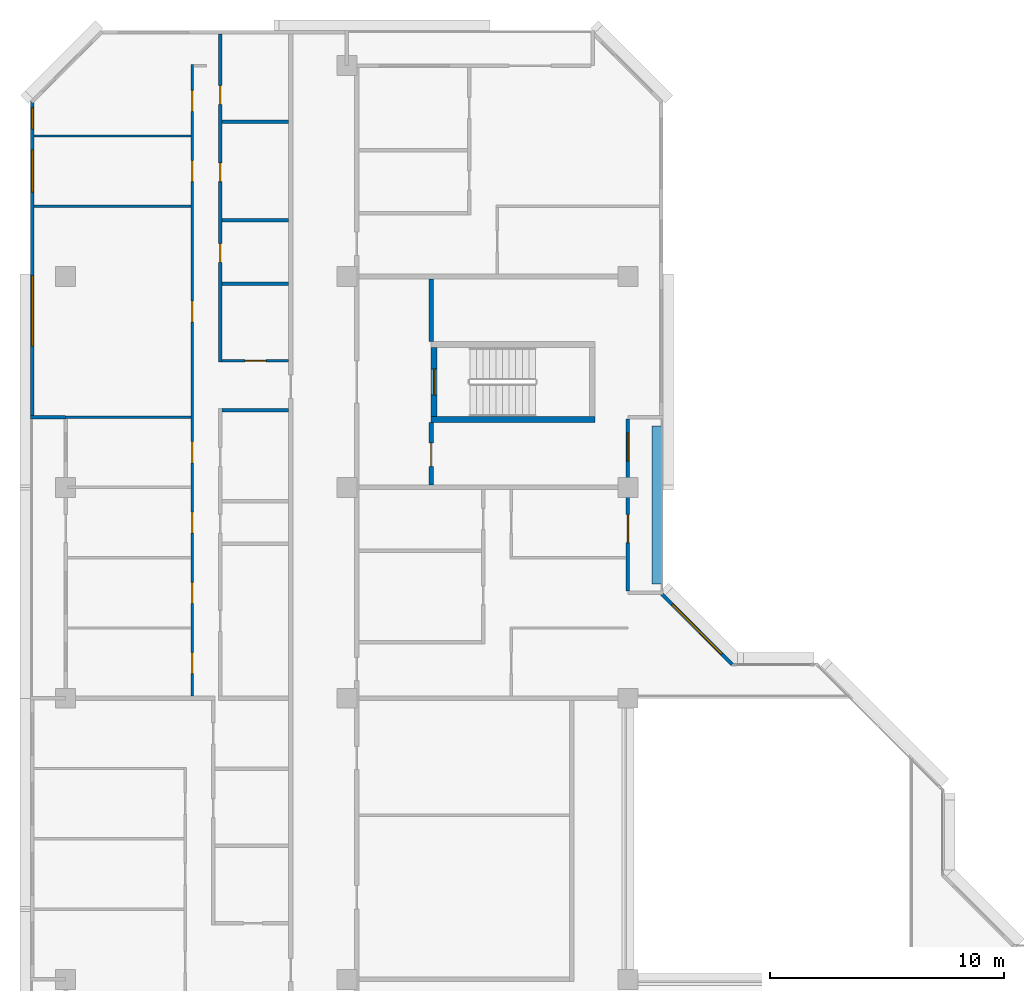
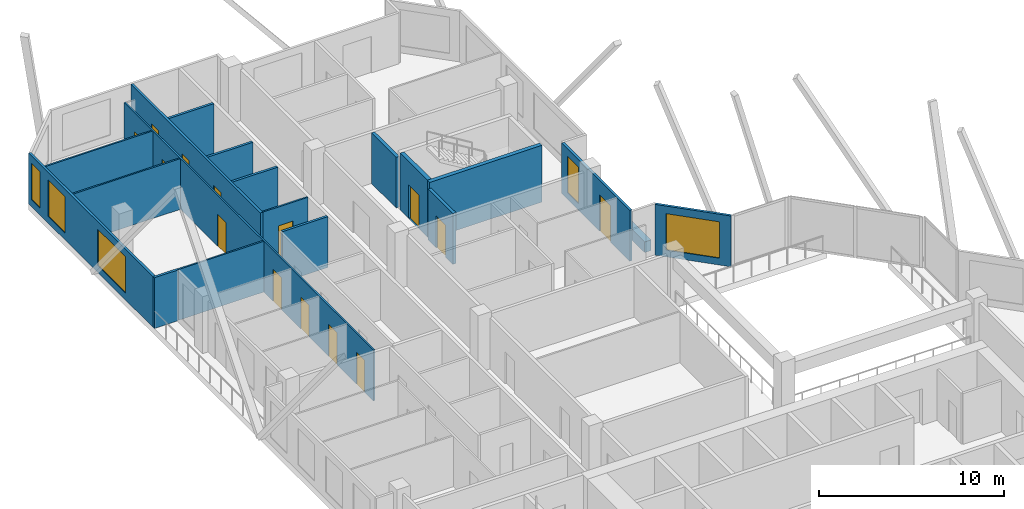
# One storey, part 10 of 15: 19 walls, 14 doors, 5 windows, 19 openings.
"""IFC4 building model written with IfcOpenShell, lengths in metres."""

from ifc_helpers import new_model, si_unit, direction, frame, frame_2d, origin, place, context, subcontext, project, spatial, rectangle, extrude, material, layer, layer_set, type_object, element, fill, save


model = new_model("IFC4")

# Units and contexts
model_context = context("Model", 3, precision=1e-05, world=origin(), true_north=direction((0.0, 1.0)))
body_context = subcontext(model_context, "Body", "Model", "MODEL_VIEW")
ifc_project = project(units=[si_unit("LENGTHUNIT", "METRE"), si_unit("AREAUNIT", "SQUARE_METRE"), si_unit("VOLUMEUNIT", "CUBIC_METRE"), si_unit("PLANEANGLEUNIT", "RADIAN"), si_unit("MASSUNIT", "GRAM", prefix="KILO")], contexts=[model_context])

# Site, building, storey
site_placement = place(None, origin())
site = spatial("IfcSite", under=ifc_project, at=site_placement, CompositionType="ELEMENT")
building_placement = place(site_placement, origin())
building = spatial("IfcBuilding", under=site, at=building_placement, Name="Chenar Terraces", CompositionType="ELEMENT")
storey_placement = place(building_placement, frame((0.0, 0.0, 245.39990234375)))
storey = spatial("IfcBuildingStorey", under=building, at=storey_placement, Name="L58", CompositionType="ELEMENT", Elevation=245.39990234375)

# Wall
ifc_material_1 = material(Name="Concrete C60/75", Category="concrete")
ifc_layer_1 = layer(ifc_material_1, 0.25)
ifc_layer_set_1 = layer_set([ifc_layer_1], Name="Concrete C60/75")
wall_type_1 = type_object("IfcWallType", Name="Core wall 250 Concrete C60/75", PredefinedType="SHEAR", material=ifc_layer_set_1)
wall_1_placement = place(storey_placement, frame((15.60009765625, 47.89990234375, 0.0), z_axis=(0.0, 0.0, 1.0), x_axis=(1.0, 0.0, 0.0)))
element("IfcWall", 1, at=wall_1_placement, inside=storey, type_object=wall_type_1, Name="Core wall ST4_S L58", PredefinedType="SHEAR", context=body_context, shape_type="SweptSolid", body=[
    extrude(rectangle(XDim=7.0, YDim=0.25, at=frame_2d((3.5, 0.0))), origin(), (0.0, 0.0, 1.0), 3.75),
])

# Wall, opening, door
wall_2_placement = place(storey_placement, frame((15.72509765625, 48.02490234375, 0.0), z_axis=(0.0, 0.0, 1.0), x_axis=(0.0, 1.0, 0.0)))
wall_2 = element("IfcWall", 2, at=wall_2_placement, inside=storey, type_object=wall_type_1, Name="Core wall ST4_W L58", PredefinedType="SHEAR", context=body_context, shape_type="SweptSolid", body=[
    extrude(rectangle(XDim=2.9501953125, YDim=0.25, at=frame_2d((1.47509765625, 0.0))), origin(), (0.0, 0.0, 1.0), 3.75),
])
opening_1_placement = place(wall_2_placement, frame((0.925048828125, 0.0, 0.0)))
opening_1 = element("IfcOpeningElement", 3, at=opening_1_placement, cuts=wall_2, Name="Opening DL58-C9", PredefinedType="OPENING", context=body_context, shape_type="SweptSolid", body=[
    extrude(rectangle(XDim=1.10009765625, YDim=2.199951171875, at=frame_2d((0.550048828125, 1.10009765625))), frame((0.0, 0.135009765625, 0.0), z_axis=(0.0, -1.0, 0.0), x_axis=(1.0, 0.0, 0.0)), (0.0, 0.0, 1.0), 0.27001953125),
])
ifc_material_2 = material(Name="Steel-framed fire-resisting door leaf", Category="steel")
door_type_1 = type_object("IfcDoorType", Name="Stair fire door FD60 1100 x 2200", OperationType="SINGLE_SWING_LEFT", PredefinedType="DOOR", material=ifc_material_2)
door_1_placement = place(opening_1_placement, frame((1.10009765625, 0.0, 0.0), z_axis=(0.0, 0.0, 1.0), x_axis=(-1.0, 0.0, 0.0)))
door_1 = element("IfcDoor", 4, at=door_1_placement, inside=storey, type_object=door_type_1, Name="Stair door DL58-C9", OperationType="SINGLE_SWING_RIGHT", OverallHeight=2.199951171875, OverallWidth=1.10009765625, PredefinedType="DOOR", context=body_context, shape_type="SweptSolid", body=[
    extrude(rectangle(XDim=1.10009765625, YDim=2.199951171875, at=frame_2d((0.550048828125, 1.10009765625))), frame((0.0, 0.02490234375, 0.0), z_axis=(0.0, -1.0, 0.0), x_axis=(1.0, 0.0, 0.0)), (0.0, 0.0, 1.0), 0.050048828125),
])
fill(opening_1, door_1)

ifc_material_3 = material(Name="Gypsum board on steel studs with fire boards", Category="steel")
ifc_layer_2 = layer(ifc_material_3, 0.199951171875)
ifc_layer_set_2 = layer_set([ifc_layer_2], Name="Gypsum board on steel studs with fire boards")
wall_type_2 = type_object("IfcWallType", Name="Corridor wall 200", PredefinedType="PARTITIONING", material=ifc_layer_set_2)
wall_3_placement = place(storey_placement, frame((15.60009765625, 45.10009765625, 0.0), z_axis=(0.0, 0.0, 1.0), x_axis=(0.0, 1.0, 0.0)))
wall_3 = element("IfcWall", 5, at=wall_3_placement, inside=storey, type_object=wall_type_2, Name="Partition L58-046", PredefinedType="PARTITIONING", context=body_context, shape_type="SweptSolid", body=[
    extrude(rectangle(XDim=2.6748046875, YDim=0.199951171875, at=frame_2d((1.33740234375, 0.0))), origin(), (0.0, 0.0, 1.0), 3.35009765625),
])
opening_2_placement = place(wall_3_placement, frame((0.800048828125, 0.0, 0.0)))
opening_2 = element("IfcOpeningElement", 6, at=opening_2_placement, cuts=wall_3, Name="Opening DL58-46", PredefinedType="OPENING", context=body_context, shape_type="SweptSolid", body=[
    extrude(rectangle(XDim=1.0, YDim=2.10009765625, at=frame_2d((0.5, 1.050048828125))), frame((0.0, 0.10986328125, 0.0), z_axis=(0.0, -1.0, 0.0), x_axis=(1.0, 0.0, 0.0)), (0.0, 0.0, 1.0), 0.219970703125),
])
ifc_material_4 = material(Name="Steel-framed fire-resisting door leaf", Category="steel")
door_type_2 = type_object("IfcDoorType", Name="Fire door FD60 1000 x 2100", OperationType="SINGLE_SWING_LEFT", PredefinedType="DOOR", material=ifc_material_4)
door_2_placement = place(opening_2_placement, frame((1.0, 0.0, 0.0), z_axis=(0.0, 0.0, 1.0), x_axis=(-1.0, 0.0, 0.0)))
door_2 = element("IfcDoor", 7, at=door_2_placement, inside=storey, type_object=door_type_2, Name="Door DL58-46", OperationType="SINGLE_SWING_RIGHT", OverallHeight=2.10009765625, OverallWidth=1.0, PredefinedType="DOOR", context=body_context, shape_type="SweptSolid", body=[
    extrude(rectangle(XDim=1.0, YDim=2.10009765625, at=frame_2d((0.5, 1.050048828125))), frame((0.0, 0.02490234375, 0.0), z_axis=(0.0, -1.0, 0.0), x_axis=(1.0, 0.0, 0.0)), (0.0, 0.0, 1.0), 0.050048828125),
])
fill(opening_2, door_2)

# Wall
wall_4_placement = place(storey_placement, frame((15.60009765625, 51.22509765625, 0.0), z_axis=(0.0, 0.0, 1.0), x_axis=(0.0, 1.0, 0.0)))
element("IfcWall", 8, at=wall_4_placement, inside=storey, type_object=wall_type_2, Name="Partition L58-047", PredefinedType="PARTITIONING", context=body_context, shape_type="SweptSolid", body=[
    extrude(rectangle(XDim=2.6748046875, YDim=0.199951171875, at=frame_2d((1.33740234375, 0.0))), origin(), (0.0, 0.0, 1.0), 3.35009765625),
])

# Wall, openings, windows
ifc_material_5 = material(Name="Aluminium framed glazing", Category="aluminium")
ifc_layer_3 = layer(ifc_material_5, 0.14990234375)
ifc_layer_set_3 = layer_set([ifc_layer_3], Name="Aluminium framed glazing")
wall_type_3 = type_object("IfcWallType", Name="Glazed flush facade wall 150", PredefinedType="SOLIDWALL", material=ifc_layer_set_3)
wall_5_placement = place(storey_placement, frame((-1.425048828125, 61.5, 0.0), z_axis=(0.0, 0.0, 1.0), x_axis=(0.0, -1.0, 0.0)))
wall_5 = element("IfcWall", 9, at=wall_5_placement, inside=storey, type_object=wall_type_3, Name="Glazed flush facade wall", PredefinedType="SOLIDWALL", context=body_context, shape_type="SweptSolid", body=[
    extrude(rectangle(XDim=13.425048828125, YDim=0.14990234375, at=frame_2d((6.71240234375, 0.0))), origin(), (0.0, 0.0, 1.0), 3.35009765625),
])
opening_3_placement = place(wall_5_placement, frame((0.300048828125, 0.0, 0.449951171875)))
opening_3 = element("IfcOpeningElement", 10, at=opening_3_placement, cuts=wall_5, Name="Opening W90x240", PredefinedType="OPENING", context=body_context, shape_type="SweptSolid", body=[
    extrude(rectangle(XDim=0.89990234375, YDim=2.39990234375, at=frame_2d((0.449951171875, 1.199951171875))), frame((0.0, 0.0849609375, 0.0), z_axis=(0.0, -1.0, 0.0), x_axis=(1.0, 0.0, 0.0)), (0.0, 0.0, 1.0), 0.169921875),
])
opening_4_placement = place(wall_5_placement, frame((2.10009765625, 0.0, 0.449951171875)))
opening_4 = element("IfcOpeningElement", 11, at=opening_4_placement, cuts=wall_5, Name="Opening W180x240", PredefinedType="OPENING", context=body_context, shape_type="SweptSolid", body=[
    extrude(rectangle(XDim=1.800048828125, YDim=2.39990234375, at=frame_2d((0.89990234375, 1.199951171875))), frame((0.0, 0.0849609375, 0.0), z_axis=(0.0, -1.0, 0.0), x_axis=(1.0, 0.0, 0.0)), (0.0, 0.0, 1.0), 0.169921875),
])
opening_5_placement = place(wall_5_placement, frame((7.46240234375, 0.0, 0.449951171875)))
opening_5 = element("IfcOpeningElement", 12, at=opening_5_placement, cuts=wall_5, Name="Opening W300x240", PredefinedType="OPENING", context=body_context, shape_type="SweptSolid", body=[
    extrude(rectangle(XDim=3.0, YDim=2.39990234375, at=frame_2d((1.5, 1.199951171875))), frame((0.0, 0.0849609375, 0.0), z_axis=(0.0, -1.0, 0.0), x_axis=(1.0, 0.0, 0.0)), (0.0, 0.0, 1.0), 0.169921875),
])
ifc_material_6 = material(Name="Low emissivity double glazing, aluminium frame", Category="aluminium")
window_type_1 = type_object("IfcWindowType", Name="Fixed light 1800 x 2400", PartitioningType="SINGLE_PANEL", PredefinedType="WINDOW", material=ifc_material_6)
window_1_placement = place(opening_4_placement, origin())
window_1 = element("IfcWindow", 13, at=window_1_placement, inside=storey, type_object=window_type_1, Name="Window", OverallHeight=2.39990234375, OverallWidth=1.800048828125, PartitioningType="SINGLE_PANEL", PredefinedType="WINDOW", context=body_context, shape_type="SweptSolid", body=[
    extrude(rectangle(XDim=1.800048828125, YDim=2.39990234375, at=frame_2d((0.89990234375, 1.199951171875))), frame((0.0, 0.030029296875, 0.0), z_axis=(0.0, -1.0, 0.0), x_axis=(1.0, 0.0, 0.0)), (0.0, 0.0, 1.0), 0.06005859375),
])
fill(opening_4, window_1)
ifc_material_7 = material(Name="Low emissivity double glazing, aluminium frame", Category="aluminium")
window_type_2 = type_object("IfcWindowType", Name="Fixed light 3000 x 2400", PartitioningType="SINGLE_PANEL", PredefinedType="WINDOW", material=ifc_material_7)
window_2_placement = place(opening_5_placement, origin())
window_2 = element("IfcWindow", 14, at=window_2_placement, inside=storey, type_object=window_type_2, Name="Window", OverallHeight=2.39990234375, OverallWidth=3.0, PartitioningType="SINGLE_PANEL", PredefinedType="WINDOW", context=body_context, shape_type="SweptSolid", body=[
    extrude(rectangle(XDim=3.0, YDim=2.39990234375, at=frame_2d((1.5, 1.199951171875))), frame((0.0, 0.030029296875, 0.0), z_axis=(0.0, -1.0, 0.0), x_axis=(1.0, 0.0, 0.0)), (0.0, 0.0, 1.0), 0.06005859375),
])
fill(opening_5, window_2)
ifc_material_8 = material(Name="Low emissivity double glazing, aluminium frame", Category="aluminium")
window_type_3 = type_object("IfcWindowType", Name="Fixed light 900 x 2400", PartitioningType="SINGLE_PANEL", PredefinedType="WINDOW", material=ifc_material_8)
window_3_placement = place(opening_3_placement, origin())
window_3 = element("IfcWindow", 15, at=window_3_placement, inside=storey, type_object=window_type_3, Name="Window", OverallHeight=2.39990234375, OverallWidth=0.89990234375, PartitioningType="SINGLE_PANEL", PredefinedType="WINDOW", context=body_context, shape_type="SweptSolid", body=[
    extrude(rectangle(XDim=0.89990234375, YDim=2.39990234375, at=frame_2d((0.449951171875, 1.199951171875))), frame((0.0, 0.030029296875, 0.0), z_axis=(0.0, -1.0, 0.0), x_axis=(1.0, 0.0, 0.0)), (0.0, 0.0, 1.0), 0.06005859375),
])
fill(opening_3, window_3)

# Wall, openings, window, door
ifc_material_9 = material(Name="Aluminium framed glazing", Category="aluminium")
ifc_layer_4 = layer(ifc_material_9, 0.14990234375)
ifc_layer_set_4 = layer_set([ifc_layer_4], Name="Aluminium framed glazing")
wall_type_4 = type_object("IfcWallType", Name="Glazed loggia back wall 150", PredefinedType="SOLIDWALL", material=ifc_layer_set_4)
wall_6_placement = place(storey_placement, frame((24.0, 40.574951171875, 0.0), z_axis=(0.0, 0.0, 1.0), x_axis=(0.0, 1.0, 0.0)))
wall_6 = element("IfcWall", 16, at=wall_6_placement, inside=storey, type_object=wall_type_4, Name="Glazed loggia back wall", PredefinedType="SOLIDWALL", context=body_context, shape_type="SweptSolid", body=[
    extrude(rectangle(XDim=7.35009765625, YDim=0.14990234375, at=frame_2d((3.675048828125, 0.0))), origin(), (0.0, 0.0, 1.0), 3.35009765625),
])
opening_6_placement = place(wall_6_placement, frame((2.0625, 0.0, 0.0)))
opening_6 = element("IfcOpeningElement", 17, at=opening_6_placement, cuts=wall_6, Name="Opening DL58-G1", PredefinedType="OPENING", context=body_context, shape_type="SweptSolid", body=[
    extrude(rectangle(XDim=1.199951171875, YDim=2.39990234375, at=frame_2d((0.60009765625, 1.199951171875))), frame((0.0, 0.0849609375, 0.0), z_axis=(0.0, -1.0, 0.0), x_axis=(1.0, 0.0, 0.0)), (0.0, 0.0, 1.0), 0.169921875),
])
opening_7_placement = place(wall_6_placement, frame((5.550048828125, 0.0, 0.449951171875)))
opening_7 = element("IfcOpeningElement", 18, at=opening_7_placement, cuts=wall_6, Name="Opening W120x240", PredefinedType="OPENING", context=body_context, shape_type="SweptSolid", body=[
    extrude(rectangle(XDim=1.199951171875, YDim=2.39990234375, at=frame_2d((0.60009765625, 1.199951171875))), frame((0.0, 0.0849609375, 0.0), z_axis=(0.0, -1.0, 0.0), x_axis=(1.0, 0.0, 0.0)), (0.0, 0.0, 1.0), 0.169921875),
])
ifc_material_10 = material(Name="Low emissivity double glazing, aluminium frame", Category="aluminium")
window_type_4 = type_object("IfcWindowType", Name="Fixed light 1200 x 2400", PartitioningType="SINGLE_PANEL", PredefinedType="WINDOW", material=ifc_material_10)
window_4_placement = place(opening_7_placement, origin())
window_4 = element("IfcWindow", 19, at=window_4_placement, inside=storey, type_object=window_type_4, Name="Window", OverallHeight=2.39990234375, OverallWidth=1.199951171875, PartitioningType="SINGLE_PANEL", PredefinedType="WINDOW", context=body_context, shape_type="SweptSolid", body=[
    extrude(rectangle(XDim=1.199951171875, YDim=2.39990234375, at=frame_2d((0.60009765625, 1.199951171875))), frame((0.0, 0.030029296875, 0.0), z_axis=(0.0, -1.0, 0.0), x_axis=(1.0, 0.0, 0.0)), (0.0, 0.0, 1.0), 0.06005859375),
])
fill(opening_7, window_4)
ifc_material_11 = material(Name="Low emissivity double glazing, aluminium frame", Category="aluminium")
door_type_3 = type_object("IfcDoorType", Name="Loggia glazed double door 1200 x 2400", OperationType="DOUBLE_DOOR_SINGLE_SWING", PredefinedType="DOOR", material=ifc_material_11)
door_3_placement = place(opening_6_placement, frame((1.199951171875, 0.0, 0.0), z_axis=(0.0, 0.0, 1.0), x_axis=(-1.0, 0.0, 0.0)))
door_3 = element("IfcDoor", 20, at=door_3_placement, inside=storey, type_object=door_type_3, Name="Loggia glazed door", OperationType="DOUBLE_DOOR_SINGLE_SWING", OverallHeight=2.39990234375, OverallWidth=1.199951171875, PredefinedType="DOOR", context=body_context, shape_type="SweptSolid", body=[
    extrude(rectangle(XDim=1.199951171875, YDim=2.39990234375, at=frame_2d((0.60009765625, 1.199951171875))), frame((0.0, 0.02490234375, 0.0), z_axis=(0.0, -1.0, 0.0), x_axis=(1.0, 0.0, 0.0)), (0.0, 0.0, 1.0), 0.050048828125),
])
fill(opening_6, door_3)

# Walls
ifc_material_12 = material(Name="Gypsum board on steel studs", Category="steel")
ifc_layer_5 = layer(ifc_material_12, 0.10009765625)
ifc_layer_set_5 = layer_set([ifc_layer_5], Name="Gypsum board on steel studs")
wall_type_5 = type_object("IfcWallType", Name="Gypsum partition 100", PredefinedType="PARTITIONING", material=ifc_layer_set_5)
wall_7_placement = place(storey_placement, frame((-1.35107421875, 60.0, 0.0), z_axis=(0.0, 0.0, 1.0), x_axis=(1.0, 0.0, 0.0)))
element("IfcWall", 21, at=wall_7_placement, inside=storey, type_object=wall_type_5, Name="Partition L58-003", PredefinedType="PARTITIONING", context=body_context, shape_type="SweptSolid", body=[
    extrude(rectangle(XDim=6.701171875, YDim=0.10009765625, at=frame_2d((3.3505859375, 0.0))), origin(), (0.0, 0.0, 1.0), 3.35009765625),
])
wall_8_placement = place(storey_placement, frame((0.0, 48.0, 0.0), z_axis=(0.0, 0.0, 1.0), x_axis=(1.0, 0.0, 0.0)))
element("IfcWall", 22, at=wall_8_placement, inside=storey, type_object=wall_type_5, Name="Partition L58-006", PredefinedType="PARTITIONING", context=body_context, shape_type="SweptSolid", body=[
    extrude(rectangle(XDim=5.35009765625, YDim=0.10009765625, at=frame_2d((2.675048828125, 0.0))), origin(), (0.0, 0.0, 1.0), 3.35009765625),
])
wall_9_placement = place(storey_placement, frame((-1.35009765625, 57.0, 0.0), z_axis=(0.0, 0.0, 1.0), x_axis=(1.0, 0.0, 0.0)))
element("IfcWall", 23, at=wall_9_placement, inside=storey, type_object=wall_type_5, Name="Partition L58-007", PredefinedType="PARTITIONING", context=body_context, shape_type="SweptSolid", body=[
    extrude(rectangle(XDim=6.7001953125, YDim=0.10009765625, at=frame_2d((3.35009765625, 0.0))), origin(), (0.0, 0.0, 1.0), 3.35009765625),
])

# Wall, openings, doors
wall_10_placement = place(storey_placement, frame((5.39990234375, 36.10009765625, 0.0), z_axis=(0.0, 0.0, 1.0), x_axis=(0.0, 1.0, 0.0)))
wall_10 = element("IfcWall", 24, at=wall_10_placement, inside=storey, type_object=wall_type_5, Name="Partition L58-015", PredefinedType="PARTITIONING", context=body_context, shape_type="SweptSolid", body=[
    extrude(rectangle(XDim=26.949951171875, YDim=0.10009765625, at=frame_2d((13.47509765625, 0.0))), origin(), (0.0, 0.0, 1.0), 3.35009765625),
])
opening_8_placement = place(wall_10_placement, frame((0.949951171875, 0.0, 0.0)))
opening_8 = element("IfcOpeningElement", 25, at=opening_8_placement, cuts=wall_10, Name="Opening DL58-27", PredefinedType="OPENING", context=body_context, shape_type="SweptSolid", body=[
    extrude(rectangle(XDim=0.89990234375, YDim=2.10009765625, at=frame_2d((0.449951171875, 1.050048828125))), frame((0.0, 0.06005859375, 0.0), z_axis=(0.0, -1.0, 0.0), x_axis=(1.0, 0.0, 0.0)), (0.0, 0.0, 1.0), 0.1201171875),
])
opening_9_placement = place(wall_10_placement, frame((3.949951171875, 0.0, 0.0)))
opening_9 = element("IfcOpeningElement", 26, at=opening_9_placement, cuts=wall_10, Name="Opening DL58-28", PredefinedType="OPENING", context=body_context, shape_type="SweptSolid", body=[
    extrude(rectangle(XDim=0.89990234375, YDim=2.10009765625, at=frame_2d((0.449951171875, 1.050048828125))), frame((0.0, 0.06005859375, 0.0), z_axis=(0.0, -1.0, 0.0), x_axis=(1.0, 0.0, 0.0)), (0.0, 0.0, 1.0), 0.1201171875),
])
opening_10_placement = place(wall_10_placement, frame((6.949951171875, 0.0, 0.0)))
opening_10 = element("IfcOpeningElement", 27, at=opening_10_placement, cuts=wall_10, Name="Opening DL58-29", PredefinedType="OPENING", context=body_context, shape_type="SweptSolid", body=[
    extrude(rectangle(XDim=0.89990234375, YDim=2.10009765625, at=frame_2d((0.449951171875, 1.050048828125))), frame((0.0, 0.06005859375, 0.0), z_axis=(0.0, -1.0, 0.0), x_axis=(1.0, 0.0, 0.0)), (0.0, 0.0, 1.0), 0.1201171875),
])
opening_11_placement = place(wall_10_placement, frame((9.949951171875, 0.0, 0.0)))
opening_11 = element("IfcOpeningElement", 28, at=opening_11_placement, cuts=wall_10, Name="Opening DL58-30", PredefinedType="OPENING", context=body_context, shape_type="SweptSolid", body=[
    extrude(rectangle(XDim=0.89990234375, YDim=2.10009765625, at=frame_2d((0.449951171875, 1.050048828125))), frame((0.0, 0.06005859375, 0.0), z_axis=(0.0, -1.0, 0.0), x_axis=(1.0, 0.0, 0.0)), (0.0, 0.0, 1.0), 0.1201171875),
])
opening_12_placement = place(wall_10_placement, frame((21.949951171875, 0.0, 0.0)))
opening_12 = element("IfcOpeningElement", 29, at=opening_12_placement, cuts=wall_10, Name="Opening DL58-31", PredefinedType="OPENING", context=body_context, shape_type="SweptSolid", body=[
    extrude(rectangle(XDim=0.89990234375, YDim=2.10009765625, at=frame_2d((0.449951171875, 1.050048828125))), frame((0.0, 0.06005859375, 0.0), z_axis=(0.0, -1.0, 0.0), x_axis=(1.0, 0.0, 0.0)), (0.0, 0.0, 1.0), 0.1201171875),
])
opening_13_placement = place(wall_10_placement, frame((24.949951171875, 0.0, 0.0)))
opening_13 = element("IfcOpeningElement", 30, at=opening_13_placement, cuts=wall_10, Name="Opening DL58-32", PredefinedType="OPENING", context=body_context, shape_type="SweptSolid", body=[
    extrude(rectangle(XDim=0.89990234375, YDim=2.10009765625, at=frame_2d((0.449951171875, 1.050048828125))), frame((0.0, 0.06005859375, 0.0), z_axis=(0.0, -1.0, 0.0), x_axis=(1.0, 0.0, 0.0)), (0.0, 0.0, 1.0), 0.1201171875),
])
opening_14_placement = place(wall_10_placement, frame((15.949951171875, 0.0, 0.0)))
opening_14 = element("IfcOpeningElement", 31, at=opening_14_placement, cuts=wall_10, Name="Opening DL58-36", PredefinedType="OPENING", context=body_context, shape_type="SweptSolid", body=[
    extrude(rectangle(XDim=0.89990234375, YDim=2.10009765625, at=frame_2d((0.449951171875, 1.050048828125))), frame((0.0, 0.06005859375, 0.0), z_axis=(0.0, -1.0, 0.0), x_axis=(1.0, 0.0, 0.0)), (0.0, 0.0, 1.0), 0.1201171875),
])
ifc_material_13 = material(Name="Veneered timber door leaf", Category="wood")
door_type_4 = type_object("IfcDoorType", Name="Door 900 x 2100", OperationType="SINGLE_SWING_LEFT", PredefinedType="DOOR", material=ifc_material_13)
door_4_placement = place(opening_8_placement, origin())
door_4 = element("IfcDoor", 32, at=door_4_placement, inside=storey, type_object=door_type_4, Name="Door DL58-27", OperationType="SINGLE_SWING_RIGHT", OverallHeight=2.10009765625, OverallWidth=0.89990234375, PredefinedType="DOOR", context=body_context, shape_type="SweptSolid", body=[
    extrude(rectangle(XDim=0.89990234375, YDim=2.10009765625, at=frame_2d((0.449951171875, 1.050048828125))), frame((0.0, 0.02490234375, 0.0), z_axis=(0.0, -1.0, 0.0), x_axis=(1.0, 0.0, 0.0)), (0.0, 0.0, 1.0), 0.050048828125),
])
fill(opening_8, door_4)
door_5_placement = place(opening_9_placement, origin())
door_5 = element("IfcDoor", 33, at=door_5_placement, inside=storey, type_object=door_type_4, Name="Door DL58-28", OperationType="SINGLE_SWING_RIGHT", OverallHeight=2.10009765625, OverallWidth=0.89990234375, PredefinedType="DOOR", context=body_context, shape_type="SweptSolid", body=[
    extrude(rectangle(XDim=0.89990234375, YDim=2.10009765625, at=frame_2d((0.449951171875, 1.050048828125))), frame((0.0, 0.02490234375, 0.0), z_axis=(0.0, -1.0, 0.0), x_axis=(1.0, 0.0, 0.0)), (0.0, 0.0, 1.0), 0.050048828125),
])
fill(opening_9, door_5)
door_6_placement = place(opening_10_placement, origin())
door_6 = element("IfcDoor", 34, at=door_6_placement, inside=storey, type_object=door_type_4, Name="Door DL58-29", OperationType="SINGLE_SWING_RIGHT", OverallHeight=2.10009765625, OverallWidth=0.89990234375, PredefinedType="DOOR", context=body_context, shape_type="SweptSolid", body=[
    extrude(rectangle(XDim=0.89990234375, YDim=2.10009765625, at=frame_2d((0.449951171875, 1.050048828125))), frame((0.0, 0.02490234375, 0.0), z_axis=(0.0, -1.0, 0.0), x_axis=(1.0, 0.0, 0.0)), (0.0, 0.0, 1.0), 0.050048828125),
])
fill(opening_10, door_6)
door_7_placement = place(opening_11_placement, origin())
door_7 = element("IfcDoor", 35, at=door_7_placement, inside=storey, type_object=door_type_4, Name="Door DL58-30", OperationType="SINGLE_SWING_RIGHT", OverallHeight=2.10009765625, OverallWidth=0.89990234375, PredefinedType="DOOR", context=body_context, shape_type="SweptSolid", body=[
    extrude(rectangle(XDim=0.89990234375, YDim=2.10009765625, at=frame_2d((0.449951171875, 1.050048828125))), frame((0.0, 0.02490234375, 0.0), z_axis=(0.0, -1.0, 0.0), x_axis=(1.0, 0.0, 0.0)), (0.0, 0.0, 1.0), 0.050048828125),
])
fill(opening_11, door_7)
door_8_placement = place(opening_12_placement, origin())
door_8 = element("IfcDoor", 36, at=door_8_placement, inside=storey, type_object=door_type_4, Name="Door DL58-31", OperationType="SINGLE_SWING_RIGHT", OverallHeight=2.10009765625, OverallWidth=0.89990234375, PredefinedType="DOOR", context=body_context, shape_type="SweptSolid", body=[
    extrude(rectangle(XDim=0.89990234375, YDim=2.10009765625, at=frame_2d((0.449951171875, 1.050048828125))), frame((0.0, 0.02490234375, 0.0), z_axis=(0.0, -1.0, 0.0), x_axis=(1.0, 0.0, 0.0)), (0.0, 0.0, 1.0), 0.050048828125),
])
fill(opening_12, door_8)
door_9_placement = place(opening_13_placement, origin())
door_9 = element("IfcDoor", 37, at=door_9_placement, inside=storey, type_object=door_type_4, Name="Door DL58-32", OperationType="SINGLE_SWING_LEFT", OverallHeight=2.10009765625, OverallWidth=0.89990234375, PredefinedType="DOOR", context=body_context, shape_type="SweptSolid", body=[
    extrude(rectangle(XDim=0.89990234375, YDim=2.10009765625, at=frame_2d((0.449951171875, 1.050048828125))), frame((0.0, 0.02490234375, 0.0), z_axis=(0.0, -1.0, 0.0), x_axis=(1.0, 0.0, 0.0)), (0.0, 0.0, 1.0), 0.050048828125),
])
fill(opening_13, door_9)
door_10_placement = place(opening_14_placement, frame((0.89990234375, 0.0, 0.0), z_axis=(0.0, 0.0, 1.0), x_axis=(-1.0, 0.0, 0.0)))
door_10 = element("IfcDoor", 38, at=door_10_placement, inside=storey, type_object=door_type_4, Name="Door DL58-36", OperationType="SINGLE_SWING_LEFT", OverallHeight=2.10009765625, OverallWidth=0.89990234375, PredefinedType="DOOR", context=body_context, shape_type="SweptSolid", body=[
    extrude(rectangle(XDim=0.89990234375, YDim=2.10009765625, at=frame_2d((0.449951171875, 1.050048828125))), frame((0.0, 0.02490234375, 0.0), z_axis=(0.0, -1.0, 0.0), x_axis=(1.0, 0.0, 0.0)), (0.0, 0.0, 1.0), 0.050048828125),
])
fill(opening_14, door_10)

# Wall, opening, door
wall_11_placement = place(storey_placement, frame((6.675048828125, 50.39990234375, 0.0), z_axis=(0.0, 0.0, 1.0), x_axis=(1.0, 0.0, 0.0)))
wall_11 = element("IfcWall", 39, at=wall_11_placement, inside=storey, type_object=wall_type_5, Name="Partition L58-027", PredefinedType="PARTITIONING", context=body_context, shape_type="SweptSolid", body=[
    extrude(rectangle(XDim=2.824951171875, YDim=0.10009765625, at=frame_2d((1.41259765625, 0.0))), origin(), (0.0, 0.0, 1.0), 3.35009765625),
])
opening_15_placement = place(wall_11_placement, frame((0.97509765625, 0.0, 0.0)))
opening_15 = element("IfcOpeningElement", 40, at=opening_15_placement, cuts=wall_11, Name="Opening DL58-37", PredefinedType="OPENING", context=body_context, shape_type="SweptSolid", body=[
    extrude(rectangle(XDim=0.89990234375, YDim=2.10009765625, at=frame_2d((0.449951171875, 1.050048828125))), frame((0.0, 0.06005859375, 0.0), z_axis=(0.0, -1.0, 0.0), x_axis=(1.0, 0.0, 0.0)), (0.0, 0.0, 1.0), 0.1201171875),
])
door_11_placement = place(opening_15_placement, origin())
door_11 = element("IfcDoor", 41, at=door_11_placement, inside=storey, type_object=door_type_4, Name="Door DL58-37", OperationType="SINGLE_SWING_RIGHT", OverallHeight=2.10009765625, OverallWidth=0.89990234375, PredefinedType="DOOR", context=body_context, shape_type="SweptSolid", body=[
    extrude(rectangle(XDim=0.89990234375, YDim=2.10009765625, at=frame_2d((0.449951171875, 1.050048828125))), frame((0.0, 0.02490234375, 0.0), z_axis=(0.0, -1.0, 0.0), x_axis=(1.0, 0.0, 0.0)), (0.0, 0.0, 1.0), 0.050048828125),
])
fill(opening_15, door_11)

# Wall
ifc_material_14 = material(Name="Terracotta cladding on insulated backing", Category="masonry")
ifc_layer_6 = layer(ifc_material_14, 0.14990234375)
ifc_layer_set_6 = layer_set([ifc_layer_6], Name="Terracotta cladding on insulated backing")
wall_type_6 = type_object("IfcWallType", Name="Loggia return wall 150", PredefinedType="SOLIDWALL", material=ifc_layer_set_6)
wall_12_placement = place(storey_placement, frame((-1.5, 48.0, 0.0), z_axis=(0.0, 0.0, 1.0), x_axis=(1.0, 0.0, 0.0)))
element("IfcWall", 42, at=wall_12_placement, inside=storey, type_object=wall_type_6, Name="Loggia return wall", PredefinedType="SOLIDWALL", context=body_context, shape_type="SweptSolid", body=[
    extrude(rectangle(XDim=1.5, YDim=0.14990234375, at=frame_2d((0.75, 0.0))), origin(), (0.0, 0.0, 1.0), 3.35009765625),
])

# Wall, opening, window
ifc_material_15 = material(Name="Terracotta cladding on insulated backing", Category="masonry")
ifc_layer_7 = layer(ifc_material_15, 0.14990234375)
ifc_layer_set_7 = layer_set([ifc_layer_7], Name="Terracotta cladding on insulated backing")
wall_type_7 = type_object("IfcWallType", Name="Terracotta rainscreen wall 150", PredefinedType="SOLIDWALL", material=ifc_layer_set_7)
wall_13_placement = place(storey_placement, frame((28.447021484375, 37.447021484375, 0.0), z_axis=(0.0, 0.0, 1.0), x_axis=(-0.707106781187, 0.707106781187, 0.0)))
wall_13 = element("IfcWall", 43, at=wall_13_placement, inside=storey, type_object=wall_type_7, Name="Terracotta rainscreen wall", PredefinedType="SOLIDWALL", context=body_context, shape_type="SweptSolid", body=[
    extrude(rectangle(XDim=4.24267578125, YDim=0.14990234375, at=frame_2d((2.121337890625, 0.0))), origin(), (0.0, 0.0, 1.0), 3.35009765625),
])
opening_16_placement = place(wall_13_placement, frame((0.621337890625, 0.0, 0.449951171875)))
opening_16 = element("IfcOpeningElement", 44, at=opening_16_placement, cuts=wall_13, Name="Opening W300x240", PredefinedType="OPENING", context=body_context, shape_type="SweptSolid", body=[
    extrude(rectangle(XDim=3.0, YDim=2.39990234375, at=frame_2d((1.5, 1.199951171875))), frame((0.0, 0.0849609375, 0.0), z_axis=(0.0, -1.0, 0.0), x_axis=(1.0, 0.0, 0.0)), (0.0, 0.0, 1.0), 0.169921875),
])
window_5_placement = place(opening_16_placement, origin())
window_5 = element("IfcWindow", 45, at=window_5_placement, inside=storey, type_object=window_type_2, Name="Window", OverallHeight=2.39990234375, OverallWidth=3.0, PartitioningType="SINGLE_PANEL", PredefinedType="WINDOW", context=body_context, shape_type="SweptSolid", body=[
    extrude(rectangle(XDim=3.0, YDim=2.39990234375, at=frame_2d((1.5, 1.199951171875))), frame((0.0, 0.030029296875, 0.0), z_axis=(0.0, -1.0, 0.0), x_axis=(1.0, 0.0, 0.0)), (0.0, 0.0, 1.0), 0.06005859375),
])
fill(opening_16, window_5)

# Wall
ifc_material_16 = material(Name="GRP planter trough")
ifc_layer_8 = layer(ifc_material_16, 0.39990234375)
ifc_layer_set_8 = layer_set([ifc_layer_8], Name="GRP planter trough")
wall_type_8 = type_object("IfcWallType", Name="Vertical greenery planter 400", PredefinedType="SOLIDWALL", material=ifc_layer_set_8)
wall_14_placement = place(storey_placement, frame((25.22900390625, 40.875, 0.0), z_axis=(0.0, 0.0, 1.0), x_axis=(0.0, 1.0, 0.0)))
element("IfcWall", 46, at=wall_14_placement, inside=storey, type_object=wall_type_8, Name="Vertical greenery planter", PredefinedType="SOLIDWALL", context=body_context, shape_type="SweptSolid", body=[
    extrude(rectangle(XDim=6.75, YDim=0.39990234375, at=frame_2d((3.375, 0.0))), origin(), (0.0, 0.0, 1.0), 0.7001953125),
])

# Wall, openings, doors
ifc_material_17 = material(Name="Moisture-resistant gypsum board on steel studs", Category="steel")
ifc_layer_9 = layer(ifc_material_17, 0.14990234375)
ifc_layer_set_9 = layer_set([ifc_layer_9], Name="Moisture-resistant gypsum board on steel studs")
wall_type_9 = type_object("IfcWallType", Name="Wet-room partition 150", PredefinedType="PARTITIONING", material=ifc_layer_set_9)
wall_15_placement = place(storey_placement, frame((6.60009765625, 50.35009765625, 0.0), z_axis=(0.0, 0.0, 1.0), x_axis=(0.0, 1.0, 0.0)))
wall_15 = element("IfcWall", 47, at=wall_15_placement, inside=storey, type_object=wall_type_9, Name="Partition L58-023", PredefinedType="PARTITIONING", context=body_context, shape_type="SweptSolid", body=[
    extrude(rectangle(XDim=14.0, YDim=0.14990234375, at=frame_2d((7.0, 0.0))), origin(), (0.0, 0.0, 1.0), 3.35009765625),
])
opening_17_placement = place(wall_15_placement, frame((11.0, 0.0, 0.0)))
opening_17 = element("IfcOpeningElement", 48, at=opening_17_placement, cuts=wall_15, Name="Opening DL58-35", PredefinedType="OPENING", context=body_context, shape_type="SweptSolid", body=[
    extrude(rectangle(XDim=0.800048828125, YDim=2.10009765625, at=frame_2d((0.39990234375, 1.050048828125))), frame((0.0, 0.0849609375, 0.0), z_axis=(0.0, -1.0, 0.0), x_axis=(1.0, 0.0, 0.0)), (0.0, 0.0, 1.0), 0.169921875),
])
opening_18_placement = place(wall_15_placement, frame((4.25, 0.0, 0.0)))
opening_18 = element("IfcOpeningElement", 49, at=opening_18_placement, cuts=wall_15, Name="Opening DL58-39", PredefinedType="OPENING", context=body_context, shape_type="SweptSolid", body=[
    extrude(rectangle(XDim=0.800048828125, YDim=2.10009765625, at=frame_2d((0.39990234375, 1.050048828125))), frame((0.0, 0.0849609375, 0.0), z_axis=(0.0, -1.0, 0.0), x_axis=(1.0, 0.0, 0.0)), (0.0, 0.0, 1.0), 0.169921875),
])
opening_19_placement = place(wall_15_placement, frame((7.699951171875, 0.0, 0.0)))
opening_19 = element("IfcOpeningElement", 50, at=opening_19_placement, cuts=wall_15, Name="Opening DL58-40", PredefinedType="OPENING", context=body_context, shape_type="SweptSolid", body=[
    extrude(rectangle(XDim=0.800048828125, YDim=2.10009765625, at=frame_2d((0.39990234375, 1.050048828125))), frame((0.0, 0.0849609375, 0.0), z_axis=(0.0, -1.0, 0.0), x_axis=(1.0, 0.0, 0.0)), (0.0, 0.0, 1.0), 0.169921875),
])
ifc_material_18 = material(Name="Veneered timber door leaf", Category="wood")
door_type_5 = type_object("IfcDoorType", Name="Door 800 x 2100", OperationType="SINGLE_SWING_LEFT", PredefinedType="DOOR", material=ifc_material_18)
door_12_placement = place(opening_17_placement, frame((0.800048828125, 0.0, 0.0), z_axis=(0.0, 0.0, 1.0), x_axis=(-1.0, 0.0, 0.0)))
door_12 = element("IfcDoor", 51, at=door_12_placement, inside=storey, type_object=door_type_5, Name="Door DL58-35", OperationType="SINGLE_SWING_RIGHT", OverallHeight=2.10009765625, OverallWidth=0.800048828125, PredefinedType="DOOR", context=body_context, shape_type="SweptSolid", body=[
    extrude(rectangle(XDim=0.800048828125, YDim=2.10009765625, at=frame_2d((0.39990234375, 1.050048828125))), frame((0.0, 0.02490234375, 0.0), z_axis=(0.0, -1.0, 0.0), x_axis=(1.0, 0.0, 0.0)), (0.0, 0.0, 1.0), 0.050048828125),
])
fill(opening_17, door_12)
door_13_placement = place(opening_18_placement, frame((0.800048828125, 0.0, 0.0), z_axis=(0.0, 0.0, 1.0), x_axis=(-1.0, 0.0, 0.0)))
door_13 = element("IfcDoor", 52, at=door_13_placement, inside=storey, type_object=door_type_5, Name="Door DL58-39", OperationType="SINGLE_SWING_RIGHT", OverallHeight=2.10009765625, OverallWidth=0.800048828125, PredefinedType="DOOR", context=body_context, shape_type="SweptSolid", body=[
    extrude(rectangle(XDim=0.800048828125, YDim=2.10009765625, at=frame_2d((0.39990234375, 1.050048828125))), frame((0.0, 0.02490234375, 0.0), z_axis=(0.0, -1.0, 0.0), x_axis=(1.0, 0.0, 0.0)), (0.0, 0.0, 1.0), 0.050048828125),
])
fill(opening_18, door_13)
door_14_placement = place(opening_19_placement, frame((0.800048828125, 0.0, 0.0), z_axis=(0.0, 0.0, 1.0), x_axis=(-1.0, 0.0, 0.0)))
door_14 = element("IfcDoor", 53, at=door_14_placement, inside=storey, type_object=door_type_5, Name="Door DL58-40", OperationType="SINGLE_SWING_RIGHT", OverallHeight=2.10009765625, OverallWidth=0.800048828125, PredefinedType="DOOR", context=body_context, shape_type="SweptSolid", body=[
    extrude(rectangle(XDim=0.800048828125, YDim=2.10009765625, at=frame_2d((0.39990234375, 1.050048828125))), frame((0.0, 0.02490234375, 0.0), z_axis=(0.0, -1.0, 0.0), x_axis=(1.0, 0.0, 0.0)), (0.0, 0.0, 1.0), 0.050048828125),
])
fill(opening_19, door_14)

# Walls
for number, where, z_axis, x_axis, name in (
    (54, (6.675048828125, 48.300048828125, 0.0), (0.0, 0.0, 1.0), (1.0, 0.0, 0.0), "Partition L58-026"),
    (55, (6.675048828125, 53.699951171875, 0.0), (0.0, 0.0, 1.0), (1.0, 0.0, 0.0), "Partition L58-028"),
    (56, (6.675048828125, 56.39990234375, 0.0), (0.0, 0.0, 1.0), (1.0, 0.0, 0.0), "Partition L58-029"),
    (57, (6.675048828125, 60.60009765625, 0.0), (0.0, 0.0, 1.0), (1.0, 0.0, 0.0), "Partition L58-030"),
):
    element("IfcWall", number, at=place(storey_placement, frame(where, z_axis=z_axis, x_axis=x_axis)), inside=storey, type_object=wall_type_9, Name=name, PredefinedType="PARTITIONING", context=body_context, shape_type="SweptSolid", body=[
        extrude(rectangle(XDim=2.824951171875, YDim=0.14990234375, at=frame_2d((1.41259765625, 0.0))), origin(), (0.0, 0.0, 1.0), 3.35009765625),
    ])

save(model, "model.ifc")
